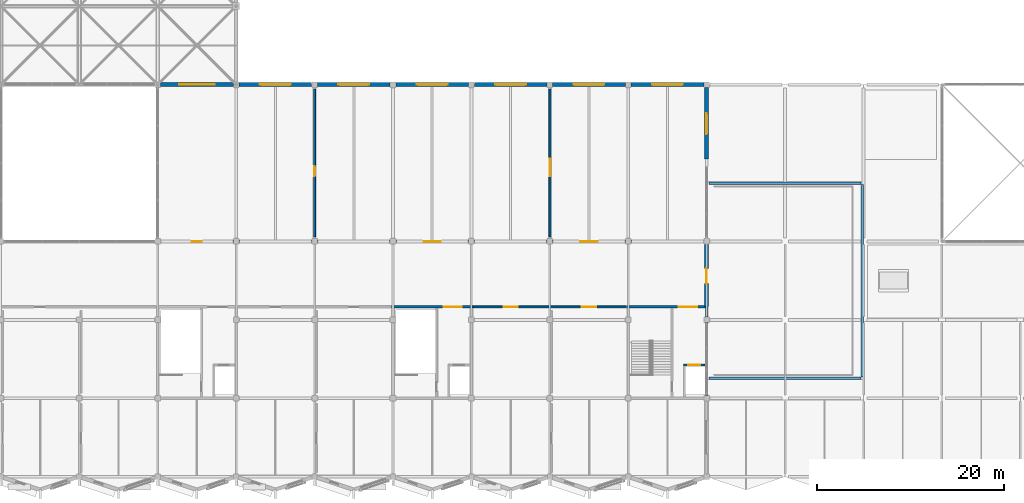
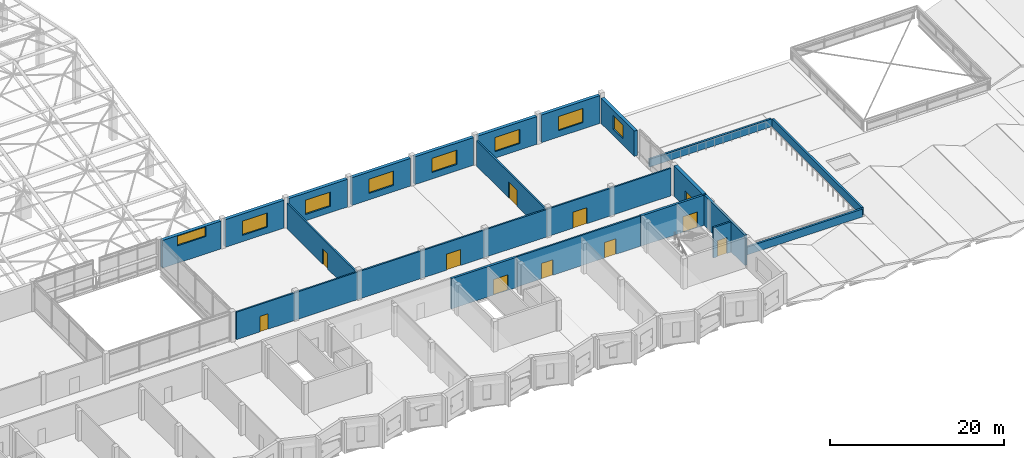
# One storey, part 77 of 81: 20 walls, 11 doors, 8 windows, 19 openings.
"""IFC4 building model written with IfcOpenShell, lengths in metres."""

from ifc_helpers import new_model, si_unit, direction, frame, frame_2d, origin, place, context, subcontext, project, spatial, rectangle, extrude, material, layer, layer_set, type_object, element, fill, save


model = new_model("IFC4")

# Units and contexts
model_context = context("Model", 3, precision=1e-05, world=origin(), true_north=direction((0.0, 1.0)))
body_context = subcontext(model_context, "Body", "Model", "MODEL_VIEW")
ifc_project = project(units=[si_unit("LENGTHUNIT", "METRE"), si_unit("AREAUNIT", "SQUARE_METRE"), si_unit("VOLUMEUNIT", "CUBIC_METRE"), si_unit("PLANEANGLEUNIT", "RADIAN"), si_unit("MASSUNIT", "GRAM", prefix="KILO")], contexts=[model_context])

# Site, building, storey
site_placement = place(None, origin())
site = spatial("IfcSite", under=ifc_project, at=site_placement, CompositionType="ELEMENT")
building_placement = place(site_placement, origin())
building = spatial("IfcBuilding", under=site, at=building_placement, Name="Qawsi Khor Wholesale Market", CompositionType="ELEMENT")
storey_placement = place(building_placement, frame((0.0, 0.0, 16.199951171875)))
storey = spatial("IfcBuildingStorey", under=building, at=storey_placement, Name="L03", CompositionType="ELEMENT", Elevation=16.199951171875)

# Wall, opening, door
ifc_material_1 = material(Name="Concrete C40/50", Category="concrete")
ifc_layer_1 = layer(ifc_material_1, 0.300048828125, Name="Concrete C40/50")
ifc_layer_set_1 = layer_set([ifc_layer_1], Name="Concrete C40/50")
wall_type_1 = type_object("IfcWallType", Name="Core Shear Wall RC 300 C40/50", PredefinedType="SHEAR", material=ifc_layer_set_1)
wall_1_placement = place(storey_placement, frame((92.25, 18.199951171875, 0.0), z_axis=(0.0, 0.0, 1.0), x_axis=(1.0, 0.0, 0.0)))
wall_1 = element("IfcWall", 1, at=wall_1_placement, inside=storey, type_object=wall_type_1, Name="Core C03 north shear wall L03", PredefinedType="SHEAR", context=body_context, shape_type="SweptSolid", body=[
    extrude(rectangle(XDim=8.699951171875, YDim=0.300048828125, at=frame_2d((4.35009765625, 0.0))), origin(), (0.0, 0.0, 1.0), 4.260009765625),
])
opening_1_placement = place(wall_1_placement, frame((5.570068359375, 0.0, 0.0)))
opening_1 = element("IfcOpeningElement", 2, at=opening_1_placement, cuts=wall_1, Name="Opening ID-01", PredefinedType="OPENING", context=body_context, shape_type="SweptSolid", body=[
    extrude(rectangle(XDim=1.9599609375, YDim=2.199951171875, at=frame_2d((0.97998046875, 1.10009765625))), frame((0.0, 0.159912109375, 0.0), z_axis=(0.0, -1.0, 0.0), x_axis=(1.0, 0.0, 0.0)), (0.0, 0.0, 1.0), 0.320068359375),
])
ifc_material_2 = material(Name="Steel Fire Door", Category="steel")
door_type_1 = type_object("IfcDoorType", Name="Stair & Core Fire Door 1960x2200 FD90S", OperationType="NOTDEFINED", PredefinedType="DOOR", material=ifc_material_2)
door_1_placement = place(opening_1_placement, origin())
door_1 = element("IfcDoor", 3, at=door_1_placement, inside=storey, type_object=door_type_1, Name="Core C03 fire door L03", OperationType="DOUBLE_DOOR_SINGLE_SWING", OverallHeight=2.199951171875, OverallWidth=1.9599609375, PredefinedType="DOOR", context=body_context, shape_type="SweptSolid", body=[
    extrude(rectangle(XDim=1.9599609375, YDim=2.199951171875, at=frame_2d((0.97998046875, 1.10009765625))), frame((0.0, 0.02490234375, 0.0), z_axis=(0.0, -1.0, 0.0), x_axis=(1.0, 0.0, 0.0)), (0.0, 0.0, 1.0), 0.050048828125),
])
fill(opening_1, door_1)

wall_2_placement = place(storey_placement, frame((117.449951171875, 18.199951171875, 0.0), z_axis=(0.0, 0.0, 1.0), x_axis=(1.0, 0.0, 0.0)))
wall_2 = element("IfcWall", 4, at=wall_2_placement, inside=storey, type_object=wall_type_1, Name="Core C04 north shear wall L03", PredefinedType="SHEAR", context=body_context, shape_type="SweptSolid", body=[
    extrude(rectangle(XDim=8.699951171875, YDim=0.300048828125, at=frame_2d((4.35009765625, 0.0))), origin(), (0.0, 0.0, 1.0), 4.260009765625),
])
opening_2_placement = place(wall_2_placement, frame((5.570068359375, 0.0, 0.0)))
opening_2 = element("IfcOpeningElement", 5, at=opening_2_placement, cuts=wall_2, Name="Opening ID-01", PredefinedType="OPENING", context=body_context, shape_type="SweptSolid", body=[
    extrude(rectangle(XDim=1.9599609375, YDim=2.199951171875, at=frame_2d((0.97998046875, 1.10009765625))), frame((0.0, 0.159912109375, 0.0), z_axis=(0.0, -1.0, 0.0), x_axis=(1.0, 0.0, 0.0)), (0.0, 0.0, 1.0), 0.320068359375),
])
door_2_placement = place(opening_2_placement, origin())
door_2 = element("IfcDoor", 6, at=door_2_placement, inside=storey, type_object=door_type_1, Name="Core C04 fire door L03", OperationType="DOUBLE_DOOR_SINGLE_SWING", OverallHeight=2.199951171875, OverallWidth=1.9599609375, PredefinedType="DOOR", context=body_context, shape_type="SweptSolid", body=[
    extrude(rectangle(XDim=1.9599609375, YDim=2.199951171875, at=frame_2d((0.97998046875, 1.10009765625))), frame((0.0, 0.02490234375, 0.0), z_axis=(0.0, -1.0, 0.0), x_axis=(1.0, 0.0, 0.0)), (0.0, 0.0, 1.0), 0.050048828125),
])
fill(opening_2, door_2)

# Wall
wall_3_placement = place(storey_placement, frame((126.0, 18.050048828125, 0.0), z_axis=(0.0, 0.0, 1.0), x_axis=(0.0, -1.0, 0.0)))
element("IfcWall", 7, at=wall_3_placement, inside=storey, type_object=wall_type_1, Name="Core C04 east shear wall L03", PredefinedType="SHEAR", context=body_context, shape_type="SweptSolid", body=[
    extrude(rectangle(XDim=9.344970703125, YDim=0.300048828125, at=frame_2d((4.67236328125, 0.0))), origin(), (0.0, 0.0, 1.0), 4.260009765625),
])

# Wall, openings, doors
ifc_material_3 = material(Name="Gypsum Fireboard on Steel Stud", Category="steel")
ifc_layer_2 = layer(ifc_material_3, 0.2099609375, Name="Gypsum Fireboard on Steel Stud")
ifc_layer_set_2 = layer_set([ifc_layer_2], Name="Gypsum Fireboard on Steel Stud")
wall_type_2 = type_object("IfcWallType", Name="Corridor Fire Partition Wall 210", PredefinedType="PARTITIONING", material=ifc_layer_set_2)
wall_4_placement = place(storey_placement, frame((101.0, 18.199951171875, 0.0), z_axis=(0.0, 0.0, 1.0), x_axis=(1.0, 0.0, 0.0)))
wall_4 = element("IfcWall", 8, at=wall_4_placement, inside=storey, type_object=wall_type_2, Name="PW-L03-109", PredefinedType="PARTITIONING", context=body_context, shape_type="SweptSolid", body=[
    extrude(rectangle(XDim=16.39990234375, YDim=0.2099609375, at=frame_2d((8.199951171875, 0.0))), origin(), (0.0, 0.0, 1.0), 4.260009765625),
])
opening_3_placement = place(wall_4_placement, frame((3.239990234375, 0.0, 0.0)))
opening_3 = element("IfcOpeningElement", 9, at=opening_3_placement, cuts=wall_4, Name="Opening ID-08", PredefinedType="OPENING", context=body_context, shape_type="SweptSolid", body=[
    extrude(rectangle(XDim=1.52001953125, YDim=2.179931640625, at=frame_2d((0.760009765625, 1.08984375))), frame((0.0, 0.114990234375, 0.0), z_axis=(0.0, -1.0, 0.0), x_axis=(1.0, 0.0, 0.0)), (0.0, 0.0, 1.0), 0.22998046875),
])
opening_4_placement = place(wall_4_placement, frame((11.639892578125, 0.0, 0.0)))
opening_4 = element("IfcOpeningElement", 10, at=opening_4_placement, cuts=wall_4, Name="Opening ID-08", PredefinedType="OPENING", context=body_context, shape_type="SweptSolid", body=[
    extrude(rectangle(XDim=1.52001953125, YDim=2.179931640625, at=frame_2d((0.760009765625, 1.08984375))), frame((0.0, 0.114990234375, 0.0), z_axis=(0.0, -1.0, 0.0), x_axis=(1.0, 0.0, 0.0)), (0.0, 0.0, 1.0), 0.22998046875),
])
ifc_material_4 = material(Name="Powder-Coated Steel", Category="steel")
door_type_2 = type_object("IfcDoorType", Name="Laboratory Double Leaf Door 1520x2180 FD60S", OperationType="NOTDEFINED", PredefinedType="DOOR", material=ifc_material_4)
door_3_placement = place(opening_3_placement, origin())
door_3 = element("IfcDoor", 11, at=door_3_placement, inside=storey, type_object=door_type_2, Name="Laboratory Double Leaf Door 1520x2180 FD60S L03-117", OperationType="DOUBLE_DOOR_SINGLE_SWING", OverallHeight=2.179931640625, OverallWidth=1.52001953125, PredefinedType="DOOR", context=body_context, shape_type="SweptSolid", body=[
    extrude(rectangle(XDim=1.52001953125, YDim=2.179931640625, at=frame_2d((0.760009765625, 1.08984375))), frame((0.0, 0.02490234375, 0.0), z_axis=(0.0, -1.0, 0.0), x_axis=(1.0, 0.0, 0.0)), (0.0, 0.0, 1.0), 0.050048828125),
])
fill(opening_3, door_3)
door_4_placement = place(opening_4_placement, origin())
door_4 = element("IfcDoor", 12, at=door_4_placement, inside=storey, type_object=door_type_2, Name="Laboratory Double Leaf Door 1520x2180 FD60S L03-118", OperationType="DOUBLE_DOOR_SINGLE_SWING", OverallHeight=2.179931640625, OverallWidth=1.52001953125, PredefinedType="DOOR", context=body_context, shape_type="SweptSolid", body=[
    extrude(rectangle(XDim=1.52001953125, YDim=2.179931640625, at=frame_2d((0.760009765625, 1.08984375))), frame((0.0, 0.02490234375, 0.0), z_axis=(0.0, -1.0, 0.0), x_axis=(1.0, 0.0, 0.0)), (0.0, 0.0, 1.0), 0.050048828125),
])
fill(opening_4, door_4)

wall_5_placement = place(storey_placement, frame((67.699951171875, 25.199951171875, 0.0), z_axis=(0.0, 0.0, 1.0), x_axis=(1.0, 0.0, 0.0)))
wall_5 = element("IfcWall", 13, at=wall_5_placement, inside=storey, type_object=wall_type_2, Name="PW-L03-113", PredefinedType="PARTITIONING", context=body_context, shape_type="SweptSolid", body=[
    extrude(rectangle(XDim=57.800048828125, YDim=0.2099609375, at=frame_2d((28.89990234375, 0.0))), origin(), (0.0, 0.0, 1.0), 3.8701171875),
])
opening_5_placement = place(wall_5_placement, frame((3.169921875, 0.0, 0.0)))
opening_5 = element("IfcOpeningElement", 14, at=opening_5_placement, cuts=wall_5, Name="Opening ID-07", PredefinedType="OPENING", context=body_context, shape_type="SweptSolid", body=[
    extrude(rectangle(XDim=1.06005859375, YDim=2.179931640625, at=frame_2d((0.530029296875, 1.08984375))), frame((0.0, 0.114990234375, 0.0), z_axis=(0.0, -1.0, 0.0), x_axis=(1.0, 0.0, 0.0)), (0.0, 0.0, 1.0), 0.22998046875),
])
opening_6_placement = place(wall_5_placement, frame((27.97509765625, 0.0, 0.0)))
opening_6 = element("IfcOpeningElement", 15, at=opening_6_placement, cuts=wall_5, Name="Opening ID-09", PredefinedType="OPENING", context=body_context, shape_type="SweptSolid", body=[
    extrude(rectangle(XDim=1.85009765625, YDim=2.25, at=frame_2d((0.925048828125, 1.125))), frame((0.0, 0.114990234375, 0.0), z_axis=(0.0, -1.0, 0.0), x_axis=(1.0, 0.0, 0.0)), (0.0, 0.0, 1.0), 0.22998046875),
])
opening_7_placement = place(wall_5_placement, frame((44.77490234375, 0.0, 0.0)))
opening_7 = element("IfcOpeningElement", 16, at=opening_7_placement, cuts=wall_5, Name="Opening ID-09", PredefinedType="OPENING", context=body_context, shape_type="SweptSolid", body=[
    extrude(rectangle(XDim=1.85009765625, YDim=2.25, at=frame_2d((0.925048828125, 1.125))), frame((0.0, 0.114990234375, 0.0), z_axis=(0.0, -1.0, 0.0), x_axis=(1.0, 0.0, 0.0)), (0.0, 0.0, 1.0), 0.22998046875),
])
ifc_material_5 = material(Name="Glazed Hardwood", Category="wood")
door_type_3 = type_object("IfcDoorType", Name="Canteen Dining Double Door 1850x2250 FD60S", OperationType="NOTDEFINED", PredefinedType="DOOR", material=ifc_material_5)
door_5_placement = place(opening_6_placement, origin())
door_5 = element("IfcDoor", 17, at=door_5_placement, inside=storey, type_object=door_type_3, Name="Canteen Dining Double Door 1850x2250 FD60S L03-124", OperationType="DOUBLE_DOOR_SINGLE_SWING", OverallHeight=2.25, OverallWidth=1.85009765625, PredefinedType="DOOR", context=body_context, shape_type="SweptSolid", body=[
    extrude(rectangle(XDim=1.85009765625, YDim=2.25, at=frame_2d((0.925048828125, 1.125))), frame((0.0, 0.02490234375, 0.0), z_axis=(0.0, -1.0, 0.0), x_axis=(1.0, 0.0, 0.0)), (0.0, 0.0, 1.0), 0.050048828125),
])
fill(opening_6, door_5)
door_6_placement = place(opening_7_placement, origin())
door_6 = element("IfcDoor", 18, at=door_6_placement, inside=storey, type_object=door_type_3, Name="Canteen Dining Double Door 1850x2250 FD60S L03-125", OperationType="DOUBLE_DOOR_SINGLE_SWING", OverallHeight=2.25, OverallWidth=1.85009765625, PredefinedType="DOOR", context=body_context, shape_type="SweptSolid", body=[
    extrude(rectangle(XDim=1.85009765625, YDim=2.25, at=frame_2d((0.925048828125, 1.125))), frame((0.0, 0.02490234375, 0.0), z_axis=(0.0, -1.0, 0.0), x_axis=(1.0, 0.0, 0.0)), (0.0, 0.0, 1.0), 0.050048828125),
])
fill(opening_7, door_6)
ifc_material_6 = material(Name="Hardwood Timber Veneer", Category="wood")
door_type_4 = type_object("IfcDoorType", Name="Clearinghouse Suite Door 1060x2180", OperationType="NOTDEFINED", PredefinedType="DOOR", material=ifc_material_6)
door_7_placement = place(opening_5_placement, origin())
door_7 = element("IfcDoor", 19, at=door_7_placement, inside=storey, type_object=door_type_4, Name="Clearinghouse Suite Door 1060x2180 L03-123", OperationType="SINGLE_SWING_LEFT", OverallHeight=2.179931640625, OverallWidth=1.06005859375, PredefinedType="DOOR", context=body_context, shape_type="SweptSolid", body=[
    extrude(rectangle(XDim=1.06005859375, YDim=2.179931640625, at=frame_2d((0.530029296875, 1.08984375))), frame((0.0, 0.02490234375, 0.0), z_axis=(0.0, -1.0, 0.0), x_axis=(1.0, 0.0, 0.0)), (0.0, 0.0, 1.0), 0.050048828125),
])
fill(opening_5, door_7)

# Wall, opening, door
wall_6_placement = place(storey_placement, frame((84.0, 25.699951171875, 0.0), z_axis=(0.0, 0.0, 1.0), x_axis=(0.0, 1.0, 0.0)))
wall_6 = element("IfcWall", 20, at=wall_6_placement, inside=storey, type_object=wall_type_2, Name="PW-L03-115", PredefinedType="PARTITIONING", context=body_context, shape_type="SweptSolid", body=[
    extrude(rectangle(XDim=15.800048828125, YDim=0.2099609375, at=frame_2d((7.89990234375, 0.0))), origin(), (0.0, 0.0, 1.0), 3.570068359375),
])
opening_8_placement = place(wall_6_placement, frame((6.5, 0.0, 0.0)))
opening_8 = element("IfcOpeningElement", 21, at=opening_8_placement, cuts=wall_6, Name="Opening ID-07", PredefinedType="OPENING", context=body_context, shape_type="SweptSolid", body=[
    extrude(rectangle(XDim=1.06005859375, YDim=2.179931640625, at=frame_2d((0.530029296875, 1.08984375))), frame((0.0, 0.114990234375, 0.0), z_axis=(0.0, -1.0, 0.0), x_axis=(1.0, 0.0, 0.0)), (0.0, 0.0, 1.0), 0.22998046875),
])
door_8_placement = place(opening_8_placement, origin())
door_8 = element("IfcDoor", 22, at=door_8_placement, inside=storey, type_object=door_type_4, Name="Clearinghouse Suite Door 1060x2180 L03-126", OperationType="SINGLE_SWING_LEFT", OverallHeight=2.179931640625, OverallWidth=1.06005859375, PredefinedType="DOOR", context=body_context, shape_type="SweptSolid", body=[
    extrude(rectangle(XDim=1.06005859375, YDim=2.179931640625, at=frame_2d((0.530029296875, 1.08984375))), frame((0.0, 0.02490234375, 0.0), z_axis=(0.0, -1.0, 0.0), x_axis=(1.0, 0.0, 0.0)), (0.0, 0.0, 1.0), 0.050048828125),
])
fill(opening_8, door_8)

wall_7_placement = place(storey_placement, frame((109.199951171875, 25.699951171875, 0.0), z_axis=(0.0, 0.0, 1.0), x_axis=(0.0, 1.0, 0.0)))
wall_7 = element("IfcWall", 23, at=wall_7_placement, inside=storey, type_object=wall_type_2, Name="PW-L03-116", PredefinedType="PARTITIONING", context=body_context, shape_type="SweptSolid", body=[
    extrude(rectangle(XDim=15.800048828125, YDim=0.2099609375, at=frame_2d((7.89990234375, 0.0))), origin(), (0.0, 0.0, 1.0), 3.570068359375),
])
opening_9_placement = place(wall_7_placement, frame((6.5, 0.0, 0.0)))
opening_9 = element("IfcOpeningElement", 24, at=opening_9_placement, cuts=wall_7, Name="Opening ID-09", PredefinedType="OPENING", context=body_context, shape_type="SweptSolid", body=[
    extrude(rectangle(XDim=1.85009765625, YDim=2.25, at=frame_2d((0.925048828125, 1.125))), frame((0.0, 0.114990234375, 0.0), z_axis=(0.0, -1.0, 0.0), x_axis=(1.0, 0.0, 0.0)), (0.0, 0.0, 1.0), 0.22998046875),
])
door_9_placement = place(opening_9_placement, origin())
door_9 = element("IfcDoor", 25, at=door_9_placement, inside=storey, type_object=door_type_3, Name="Canteen Dining Double Door 1850x2250 FD60S L03-127", OperationType="DOUBLE_DOOR_SINGLE_SWING", OverallHeight=2.25, OverallWidth=1.85009765625, PredefinedType="DOOR", context=body_context, shape_type="SweptSolid", body=[
    extrude(rectangle(XDim=1.85009765625, YDim=2.25, at=frame_2d((0.925048828125, 1.125))), frame((0.0, 0.02490234375, 0.0), z_axis=(0.0, -1.0, 0.0), x_axis=(1.0, 0.0, 0.0)), (0.0, 0.0, 1.0), 0.050048828125),
])
fill(opening_9, door_9)

ifc_layer_3 = layer(ifc_material_1, 0.219970703125, Name="Concrete C40/50")
ifc_layer_set_3 = layer_set([ifc_layer_3], Name="Concrete C40/50")
wall_type_3 = type_object("IfcWallType", Name="Lift & Stair Shaft Wall RC 220", PredefinedType="SOLIDWALL", material=ifc_layer_set_3)
wall_8_placement = place(storey_placement, frame((123.5, 11.949951171875, 0.0), z_axis=(0.0, 0.0, 1.0), x_axis=(1.0, 0.0, 0.0)))
wall_8 = element("IfcWall", 26, at=wall_8_placement, inside=storey, type_object=wall_type_3, Name="Lift FF-02 shaft wall N L03", PredefinedType="SOLIDWALL", context=body_context, shape_type="SweptSolid", body=[
    extrude(rectangle(XDim=2.340087890625, YDim=0.219970703125, at=frame_2d((1.169921875, 0.0))), origin(), (0.0, 0.0, 1.0), 4.260009765625),
])
opening_10_placement = place(wall_8_placement, frame((0.530029296875, 0.0, 0.0)))
opening_10 = element("IfcOpeningElement", 27, at=opening_10_placement, cuts=wall_8, Name="Opening LD-FF130", PredefinedType="OPENING", context=body_context, shape_type="SweptSolid", body=[
    extrude(rectangle(XDim=1.280029296875, YDim=2.25, at=frame_2d((0.64013671875, 1.125))), frame((0.0, 0.119873046875, 0.0), z_axis=(0.0, -1.0, 0.0), x_axis=(1.0, 0.0, 0.0)), (0.0, 0.0, 1.0), 0.239990234375),
])
ifc_material_7 = material(Name="Brushed Stainless Steel", Category="steel")
door_type_5 = type_object("IfcDoorType", Name="Firefighting Lift Landing Sliding Door 1280x2250 FD90S", OperationType="NOTDEFINED", PredefinedType="DOOR", material=ifc_material_7)
door_10_placement = place(opening_10_placement, origin())
door_10 = element("IfcDoor", 28, at=door_10_placement, inside=storey, type_object=door_type_5, Name="Lift FF-02 landing door L03", OperationType="SLIDING_TO_RIGHT", OverallHeight=2.25, OverallWidth=1.280029296875, PredefinedType="DOOR", context=body_context, shape_type="SweptSolid", body=[
    extrude(rectangle(XDim=1.280029296875, YDim=2.25, at=frame_2d((0.64013671875, 1.125))), frame((0.0, 0.02490234375, 0.0), z_axis=(0.0, -1.0, 0.0), x_axis=(1.0, 0.0, 0.0)), (0.0, 0.0, 1.0), 0.050048828125),
])
fill(opening_10, door_10)

ifc_layer_4 = layer(ifc_material_1, 0.429931640625, Name="Concrete C40/50")
ifc_layer_set_4 = layer_set([ifc_layer_4], Name="Concrete C40/50")
wall_type_4 = type_object("IfcWallType", Name="Sculpted Ribbed Concrete Facade Wall 430", PredefinedType="SOLIDWALL", material=ifc_layer_set_4)
wall_9_placement = place(storey_placement, frame((126.0, 24.89501953125, 0.0), z_axis=(0.0, 0.0, 1.0), x_axis=(0.0, -1.0, 0.0)))
wall_9 = element("IfcWall", 29, at=wall_9_placement, inside=storey, type_object=wall_type_4, Name="EW-L03-TER-2", PredefinedType="SOLIDWALL", context=body_context, shape_type="SweptSolid", body=[
    extrude(rectangle(XDim=6.64501953125, YDim=0.429931640625, at=frame_2d((3.322509765625, 0.0))), origin(), (0.0, 0.0, 1.0), 4.260009765625),
])
opening_11_placement = place(wall_9_placement, frame((2.5849609375, 0.0, 0.0)))
opening_11 = element("IfcOpeningElement", 30, at=opening_11_placement, cuts=wall_9, Name="Opening ED-05", PredefinedType="OPENING", context=body_context, shape_type="SweptSolid", body=[
    extrude(rectangle(XDim=1.6201171875, YDim=2.260009765625, at=frame_2d((0.81005859375, 1.1298828125))), frame((0.0, 0.224853515625, 0.0), z_axis=(0.0, -1.0, 0.0), x_axis=(1.0, 0.0, 0.0)), (0.0, 0.0, 1.0), 0.449951171875),
])
ifc_material_8 = material(Name="Powder-Coated Galvanised Steel & Glazing", Category="steel")
door_type_6 = type_object("IfcDoorType", Name="Terrace Access Glazed Door 1620x2260", OperationType="NOTDEFINED", PredefinedType="DOOR", material=ifc_material_8)
door_11_placement = place(opening_11_placement, origin())
door_11 = element("IfcDoor", 31, at=door_11_placement, inside=storey, type_object=door_type_6, Name="L03 East Terrace Door", OperationType="DOUBLE_DOOR_SINGLE_SWING", OverallHeight=2.260009765625, OverallWidth=1.6201171875, PredefinedType="DOOR", context=body_context, shape_type="SweptSolid", body=[
    extrude(rectangle(XDim=1.6201171875, YDim=2.260009765625, at=frame_2d((0.81005859375, 1.1298828125))), frame((0.0, 0.02490234375, 0.0), z_axis=(0.0, -1.0, 0.0), x_axis=(1.0, 0.0, 0.0)), (0.0, 0.0, 1.0), 0.050048828125),
])
fill(opening_11, door_11)

# Wall, opening, window
wall_10_placement = place(storey_placement, frame((126.0, 41.695068359375, 0.0), z_axis=(0.0, 0.0, 1.0), x_axis=(0.0, -1.0, 0.0)))
wall_10 = element("IfcWall", 32, at=wall_10_placement, inside=storey, type_object=wall_type_4, Name="EW-L03-TER-4", PredefinedType="SOLIDWALL", context=body_context, shape_type="SweptSolid", body=[
    extrude(rectangle(XDim=7.64501953125, YDim=0.429931640625, at=frame_2d((3.822509765625, 0.0))), origin(), (0.0, 0.0, 1.0), 3.570068359375),
])
opening_12_placement = place(wall_10_placement, frame((2.77490234375, 0.0, 0.89990234375)))
opening_12 = element("IfcOpeningElement", 33, at=opening_12_placement, cuts=wall_10, Name="Opening W-24", PredefinedType="OPENING", context=body_context, shape_type="SweptSolid", body=[
    extrude(rectangle(XDim=2.25, YDim=1.949951171875, at=frame_2d((1.125, 0.97509765625))), frame((0.0, 0.224853515625, 0.0), z_axis=(0.0, -1.0, 0.0), x_axis=(1.0, 0.0, 0.0)), (0.0, 0.0, 1.0), 0.449951171875),
])
ifc_material_9 = material(Name="Thermally Broken Aluminium & Low-E Glass", Category="aluminium")
window_type_1 = type_object("IfcWindowType", Name="Win W-24 Majlis Court Window 2250x1950", PartitioningType="SINGLE_PANEL", PredefinedType="WINDOW", material=ifc_material_9)
window_1_placement = place(opening_12_placement, origin())
window_1 = element("IfcWindow", 34, at=window_1_placement, inside=storey, type_object=window_type_1, Name="Win W-24 Majlis Court Window 2250x1950 132", OverallHeight=1.949951171875, OverallWidth=2.25, PartitioningType="SINGLE_PANEL", PredefinedType="WINDOW", context=body_context, shape_type="SweptSolid", body=[
    extrude(rectangle(XDim=2.25, YDim=1.949951171875, at=frame_2d((1.125, 0.97509765625))), frame((0.0, 0.030029296875, 0.0), z_axis=(0.0, -1.0, 0.0), x_axis=(1.0, 0.0, 0.0)), (0.0, 0.0, 1.0), 0.06005859375),
])
fill(opening_12, window_1)

wall_11_placement = place(storey_placement, frame((75.905029296875, 42.0, 0.0), z_axis=(0.0, 0.0, 1.0), x_axis=(1.0, 0.0, 0.0)))
wall_11 = element("IfcWall", 35, at=wall_11_placement, inside=storey, type_object=wall_type_4, Name="EW-L03-SWN-09", PredefinedType="SOLIDWALL", context=body_context, shape_type="SweptSolid", body=[
    extrude(rectangle(XDim=7.7900390625, YDim=0.429931640625, at=frame_2d((3.89501953125, 0.0))), origin(), (0.0, 0.0, 1.0), 3.900146484375),
])
opening_13_placement = place(wall_11_placement, frame((2.2451171875, 0.0, 0.89990234375)))
opening_13 = element("IfcOpeningElement", 36, at=opening_13_placement, cuts=wall_11, Name="Opening W-11", PredefinedType="OPENING", context=body_context, shape_type="SweptSolid", body=[
    extrude(rectangle(XDim=3.300048828125, YDim=2.0, at=frame_2d((1.64990234375, 1.0))), frame((0.0, 0.224853515625, 0.0), z_axis=(0.0, -1.0, 0.0), x_axis=(1.0, 0.0, 0.0)), (0.0, 0.0, 1.0), 0.449951171875),
])
window_type_2 = type_object("IfcWindowType", Name="Win W-11 Canteen Terrace View 3300x2000", PartitioningType="SINGLE_PANEL", PredefinedType="WINDOW", material=ifc_material_9)
window_2_placement = place(opening_13_placement, origin())
window_2 = element("IfcWindow", 37, at=window_2_placement, inside=storey, type_object=window_type_2, Name="Win W-11 Canteen Terrace View 3300x2000 138", OverallHeight=2.0, OverallWidth=3.300048828125, PartitioningType="SINGLE_PANEL", PredefinedType="WINDOW", context=body_context, shape_type="SweptSolid", body=[
    extrude(rectangle(XDim=3.300048828125, YDim=2.0, at=frame_2d((1.64990234375, 1.0))), frame((0.0, 0.030029296875, 0.0), z_axis=(0.0, -1.0, 0.0), x_axis=(1.0, 0.0, 0.0)), (0.0, 0.0, 1.0), 0.06005859375),
])
fill(opening_13, window_2)

wall_12_placement = place(storey_placement, frame((84.304931640625, 42.0, 0.0), z_axis=(0.0, 0.0, 1.0), x_axis=(1.0, 0.0, 0.0)))
wall_12 = element("IfcWall", 38, at=wall_12_placement, inside=storey, type_object=wall_type_4, Name="EW-L03-SWN-10", PredefinedType="SOLIDWALL", context=body_context, shape_type="SweptSolid", body=[
    extrude(rectangle(XDim=7.7900390625, YDim=0.429931640625, at=frame_2d((3.89501953125, 0.0))), origin(), (0.0, 0.0, 1.0), 3.900146484375),
])
opening_14_placement = place(wall_12_placement, frame((2.2451171875, 0.0, 0.89990234375)))
opening_14 = element("IfcOpeningElement", 39, at=opening_14_placement, cuts=wall_12, Name="Opening W-11", PredefinedType="OPENING", context=body_context, shape_type="SweptSolid", body=[
    extrude(rectangle(XDim=3.300048828125, YDim=2.0, at=frame_2d((1.64990234375, 1.0))), frame((0.0, 0.224853515625, 0.0), z_axis=(0.0, -1.0, 0.0), x_axis=(1.0, 0.0, 0.0)), (0.0, 0.0, 1.0), 0.449951171875),
])
window_3_placement = place(opening_14_placement, origin())
window_3 = element("IfcWindow", 40, at=window_3_placement, inside=storey, type_object=window_type_2, Name="Win W-11 Canteen Terrace View 3300x2000 139", OverallHeight=2.0, OverallWidth=3.300048828125, PartitioningType="SINGLE_PANEL", PredefinedType="WINDOW", context=body_context, shape_type="SweptSolid", body=[
    extrude(rectangle(XDim=3.300048828125, YDim=2.0, at=frame_2d((1.64990234375, 1.0))), frame((0.0, 0.030029296875, 0.0), z_axis=(0.0, -1.0, 0.0), x_axis=(1.0, 0.0, 0.0)), (0.0, 0.0, 1.0), 0.06005859375),
])
fill(opening_14, window_3)

wall_13_placement = place(storey_placement, frame((92.705078125, 42.0, 0.0), z_axis=(0.0, 0.0, 1.0), x_axis=(1.0, 0.0, 0.0)))
wall_13 = element("IfcWall", 41, at=wall_13_placement, inside=storey, type_object=wall_type_4, Name="EW-L03-SWN-11", PredefinedType="SOLIDWALL", context=body_context, shape_type="SweptSolid", body=[
    extrude(rectangle(XDim=7.7900390625, YDim=0.429931640625, at=frame_2d((3.89501953125, 0.0))), origin(), (0.0, 0.0, 1.0), 3.900146484375),
])
opening_15_placement = place(wall_13_placement, frame((2.2451171875, 0.0, 0.89990234375)))
opening_15 = element("IfcOpeningElement", 42, at=opening_15_placement, cuts=wall_13, Name="Opening W-11", PredefinedType="OPENING", context=body_context, shape_type="SweptSolid", body=[
    extrude(rectangle(XDim=3.300048828125, YDim=2.0, at=frame_2d((1.64990234375, 1.0))), frame((0.0, 0.224853515625, 0.0), z_axis=(0.0, -1.0, 0.0), x_axis=(1.0, 0.0, 0.0)), (0.0, 0.0, 1.0), 0.449951171875),
])
window_4_placement = place(opening_15_placement, origin())
window_4 = element("IfcWindow", 43, at=window_4_placement, inside=storey, type_object=window_type_2, Name="Win W-11 Canteen Terrace View 3300x2000 140", OverallHeight=2.0, OverallWidth=3.300048828125, PartitioningType="SINGLE_PANEL", PredefinedType="WINDOW", context=body_context, shape_type="SweptSolid", body=[
    extrude(rectangle(XDim=3.300048828125, YDim=2.0, at=frame_2d((1.64990234375, 1.0))), frame((0.0, 0.030029296875, 0.0), z_axis=(0.0, -1.0, 0.0), x_axis=(1.0, 0.0, 0.0)), (0.0, 0.0, 1.0), 0.06005859375),
])
fill(opening_15, window_4)

wall_14_placement = place(storey_placement, frame((101.10498046875, 42.0, 0.0), z_axis=(0.0, 0.0, 1.0), x_axis=(1.0, 0.0, 0.0)))
wall_14 = element("IfcWall", 44, at=wall_14_placement, inside=storey, type_object=wall_type_4, Name="EW-L03-SWN-12", PredefinedType="SOLIDWALL", context=body_context, shape_type="SweptSolid", body=[
    extrude(rectangle(XDim=7.7900390625, YDim=0.429931640625, at=frame_2d((3.89501953125, 0.0))), origin(), (0.0, 0.0, 1.0), 3.900146484375),
])
opening_16_placement = place(wall_14_placement, frame((2.2451171875, 0.0, 0.89990234375)))
opening_16 = element("IfcOpeningElement", 45, at=opening_16_placement, cuts=wall_14, Name="Opening W-11", PredefinedType="OPENING", context=body_context, shape_type="SweptSolid", body=[
    extrude(rectangle(XDim=3.300048828125, YDim=2.0, at=frame_2d((1.64990234375, 1.0))), frame((0.0, 0.224853515625, 0.0), z_axis=(0.0, -1.0, 0.0), x_axis=(1.0, 0.0, 0.0)), (0.0, 0.0, 1.0), 0.449951171875),
])
window_5_placement = place(opening_16_placement, origin())
window_5 = element("IfcWindow", 46, at=window_5_placement, inside=storey, type_object=window_type_2, Name="Win W-11 Canteen Terrace View 3300x2000 141", OverallHeight=2.0, OverallWidth=3.300048828125, PartitioningType="SINGLE_PANEL", PredefinedType="WINDOW", context=body_context, shape_type="SweptSolid", body=[
    extrude(rectangle(XDim=3.300048828125, YDim=2.0, at=frame_2d((1.64990234375, 1.0))), frame((0.0, 0.030029296875, 0.0), z_axis=(0.0, -1.0, 0.0), x_axis=(1.0, 0.0, 0.0)), (0.0, 0.0, 1.0), 0.06005859375),
])
fill(opening_16, window_5)

wall_15_placement = place(storey_placement, frame((109.5048828125, 42.0, 0.0), z_axis=(0.0, 0.0, 1.0), x_axis=(1.0, 0.0, 0.0)))
wall_15 = element("IfcWall", 47, at=wall_15_placement, inside=storey, type_object=wall_type_4, Name="EW-L03-SWN-13", PredefinedType="SOLIDWALL", context=body_context, shape_type="SweptSolid", body=[
    extrude(rectangle(XDim=7.7900390625, YDim=0.429931640625, at=frame_2d((3.89501953125, 0.0))), origin(), (0.0, 0.0, 1.0), 3.900146484375),
])
opening_17_placement = place(wall_15_placement, frame((2.2451171875, 0.0, 0.89990234375)))
opening_17 = element("IfcOpeningElement", 48, at=opening_17_placement, cuts=wall_15, Name="Opening W-11", PredefinedType="OPENING", context=body_context, shape_type="SweptSolid", body=[
    extrude(rectangle(XDim=3.300048828125, YDim=2.0, at=frame_2d((1.64990234375, 1.0))), frame((0.0, 0.224853515625, 0.0), z_axis=(0.0, -1.0, 0.0), x_axis=(1.0, 0.0, 0.0)), (0.0, 0.0, 1.0), 0.449951171875),
])
window_6_placement = place(opening_17_placement, origin())
window_6 = element("IfcWindow", 49, at=window_6_placement, inside=storey, type_object=window_type_2, Name="Win W-11 Canteen Terrace View 3300x2000 142", OverallHeight=2.0, OverallWidth=3.300048828125, PartitioningType="SINGLE_PANEL", PredefinedType="WINDOW", context=body_context, shape_type="SweptSolid", body=[
    extrude(rectangle(XDim=3.300048828125, YDim=2.0, at=frame_2d((1.64990234375, 1.0))), frame((0.0, 0.030029296875, 0.0), z_axis=(0.0, -1.0, 0.0), x_axis=(1.0, 0.0, 0.0)), (0.0, 0.0, 1.0), 0.06005859375),
])
fill(opening_17, window_6)

wall_16_placement = place(storey_placement, frame((117.905029296875, 42.0, 0.0), z_axis=(0.0, 0.0, 1.0), x_axis=(1.0, 0.0, 0.0)))
wall_16 = element("IfcWall", 50, at=wall_16_placement, inside=storey, type_object=wall_type_4, Name="EW-L03-SWN-14", PredefinedType="SOLIDWALL", context=body_context, shape_type="SweptSolid", body=[
    extrude(rectangle(XDim=7.7900390625, YDim=0.429931640625, at=frame_2d((3.89501953125, 0.0))), origin(), (0.0, 0.0, 1.0), 3.900146484375),
])
opening_18_placement = place(wall_16_placement, frame((2.2451171875, 0.0, 0.89990234375)))
opening_18 = element("IfcOpeningElement", 51, at=opening_18_placement, cuts=wall_16, Name="Opening W-11", PredefinedType="OPENING", context=body_context, shape_type="SweptSolid", body=[
    extrude(rectangle(XDim=3.300048828125, YDim=2.0, at=frame_2d((1.64990234375, 1.0))), frame((0.0, 0.224853515625, 0.0), z_axis=(0.0, -1.0, 0.0), x_axis=(1.0, 0.0, 0.0)), (0.0, 0.0, 1.0), 0.449951171875),
])
window_7_placement = place(opening_18_placement, origin())
window_7 = element("IfcWindow", 52, at=window_7_placement, inside=storey, type_object=window_type_2, Name="Win W-11 Canteen Terrace View 3300x2000 143", OverallHeight=2.0, OverallWidth=3.300048828125, PartitioningType="SINGLE_PANEL", PredefinedType="WINDOW", context=body_context, shape_type="SweptSolid", body=[
    extrude(rectangle(XDim=3.300048828125, YDim=2.0, at=frame_2d((1.64990234375, 1.0))), frame((0.0, 0.030029296875, 0.0), z_axis=(0.0, -1.0, 0.0), x_axis=(1.0, 0.0, 0.0)), (0.0, 0.0, 1.0), 0.06005859375),
])
fill(opening_18, window_7)

wall_17_placement = place(storey_placement, frame((67.5048828125, 42.0, 0.0), z_axis=(0.0, 0.0, 1.0), x_axis=(1.0, 0.0, 0.0)))
wall_17 = element("IfcWall", 53, at=wall_17_placement, inside=storey, type_object=wall_type_4, Name="EW-L03-SWF-08", PredefinedType="SOLIDWALL", context=body_context, shape_type="SweptSolid", body=[
    extrude(rectangle(XDim=7.7900390625, YDim=0.429931640625, at=frame_2d((3.89501953125, 0.0))), origin(), (0.0, 0.0, 1.0), 3.900146484375),
])
opening_19_placement = place(wall_17_placement, frame((1.9951171875, 0.0, 2.449951171875)))
opening_19 = element("IfcOpeningElement", 54, at=opening_19_placement, cuts=wall_17, Name="Opening W-16", PredefinedType="OPENING", context=body_context, shape_type="SweptSolid", body=[
    extrude(rectangle(XDim=3.800048828125, YDim=1.35009765625, at=frame_2d((1.89990234375, 0.675048828125))), frame((0.0, 0.224853515625, 0.0), z_axis=(0.0, -1.0, 0.0), x_axis=(1.0, 0.0, 0.0)), (0.0, 0.0, 1.0), 0.449951171875),
])
window_type_3 = type_object("IfcWindowType", Name="Win W-16 Auction High Clerestory 3800x1350", PartitioningType="SINGLE_PANEL", PredefinedType="WINDOW", material=ifc_material_9)
window_8_placement = place(opening_19_placement, origin())
window_8 = element("IfcWindow", 55, at=window_8_placement, inside=storey, type_object=window_type_3, Name="Win W-16 Auction High Clerestory 3800x1350 144", OverallHeight=1.35009765625, OverallWidth=3.800048828125, PartitioningType="SINGLE_PANEL", PredefinedType="WINDOW", context=body_context, shape_type="SweptSolid", body=[
    extrude(rectangle(XDim=3.800048828125, YDim=1.35009765625, at=frame_2d((1.89990234375, 0.675048828125))), frame((0.0, 0.030029296875, 0.0), z_axis=(0.0, -1.0, 0.0), x_axis=(1.0, 0.0, 0.0)), (0.0, 0.0, 1.0), 0.06005859375),
])
fill(opening_19, window_8)

# Walls
ifc_layer_5 = layer(ifc_material_1, 0.27001953125, Name="Concrete C40/50")
ifc_layer_set_5 = layer_set([ifc_layer_5], Name="Concrete C40/50")
wall_type_5 = type_object("IfcWallType", Name="Terrace Parapet Upstand Wall 270", PredefinedType="PARAPET", material=ifc_layer_set_5)
wall_18_placement = place(storey_placement, frame((126.25, 10.550048828125, 0.0), z_axis=(0.0, 0.0, 1.0), x_axis=(1.0, 0.0, 0.0)))
element("IfcWall", 56, at=wall_18_placement, inside=storey, type_object=wall_type_5, Name="Roof parapet PRP-L03-TER-S", PredefinedType="PARAPET", context=body_context, shape_type="SweptSolid", body=[
    extrude(rectangle(XDim=16.25, YDim=0.27001953125, at=frame_2d((8.125, 0.0))), origin(), (0.0, 0.0, 1.0), 1.10009765625),
])
wall_19_placement = place(storey_placement, frame((142.64990234375, 10.699951171875, 0.0), z_axis=(0.0, 0.0, 1.0), x_axis=(0.0, 1.0, 0.0)))
element("IfcWall", 57, at=wall_19_placement, inside=storey, type_object=wall_type_5, Name="Roof parapet PRP-L03-TER-E", PredefinedType="PARAPET", context=body_context, shape_type="SweptSolid", body=[
    extrude(rectangle(XDim=20.60009765625, YDim=0.27001953125, at=frame_2d((10.300048828125, 0.0))), origin(), (0.0, 0.0, 1.0), 1.10009765625),
])
wall_20_placement = place(storey_placement, frame((126.25, 31.449951171875, 0.0), z_axis=(0.0, 0.0, 1.0), x_axis=(1.0, 0.0, 0.0)))
element("IfcWall", 58, at=wall_20_placement, inside=storey, type_object=wall_type_5, Name="Roof parapet PRP-L03-TER-N", PredefinedType="PARAPET", context=body_context, shape_type="SweptSolid", body=[
    extrude(rectangle(XDim=16.25, YDim=0.27001953125, at=frame_2d((8.125, 0.0))), origin(), (0.0, 0.0, 1.0), 1.10009765625),
])

save(model, "model.ifc")
